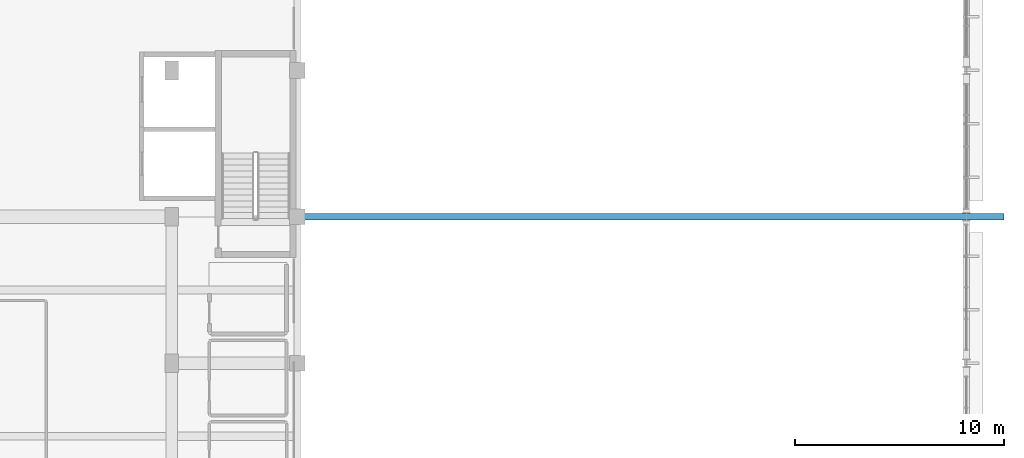
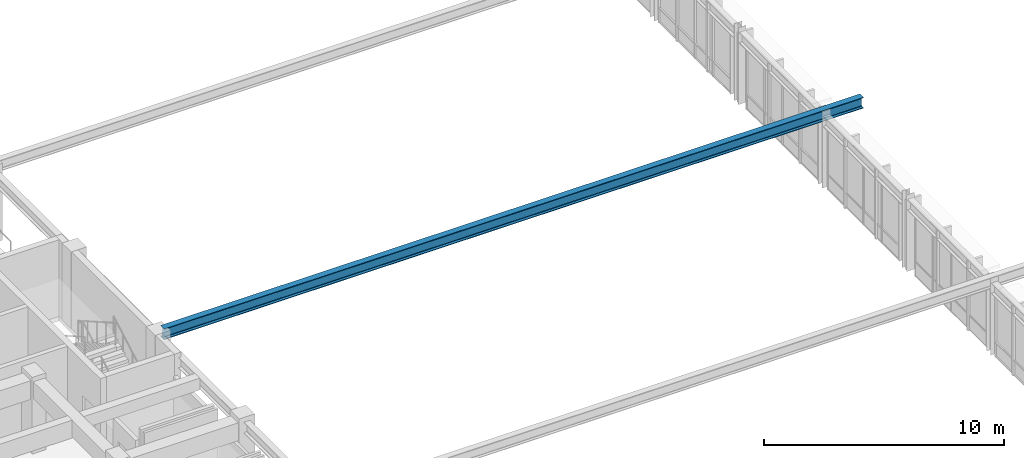
# One storey, part 32 of 98: 1 beam.
"""IFC4 building model written with IfcOpenShell, lengths in metres."""

from ifc_helpers import new_model, si_unit, direction, frame, origin, origin_2d, place, context, subcontext, project, spatial, i_section, extrude, material, material_profile, profile_set, type_object, element, save


model = new_model("IFC4")

# Units and contexts
model_context = context("Model", 3, precision=1e-05, world=origin(), true_north=direction((0.0, 1.0)))
body_context = subcontext(model_context, "Body", "Model", "MODEL_VIEW")
ifc_project = project(units=[si_unit("LENGTHUNIT", "METRE"), si_unit("AREAUNIT", "SQUARE_METRE"), si_unit("VOLUMEUNIT", "CUBIC_METRE"), si_unit("PLANEANGLEUNIT", "RADIAN"), si_unit("MASSUNIT", "GRAM", prefix="KILO")], contexts=[model_context])

# Site, building, storey
site_placement = place(None, origin())
site = spatial("IfcSite", under=ifc_project, at=site_placement, CompositionType="ELEMENT")
building_placement = place(site_placement, origin())
building = spatial("IfcBuilding", under=site, at=building_placement, Name="Larkveld Mobility Hub", CompositionType="ELEMENT")
storey_placement = place(building_placement, frame((0.0, 0.0, 4.5)))
storey = spatial("IfcBuildingStorey", under=building, at=storey_placement, Name="L01", CompositionType="ELEMENT", Elevation=4.5)

# Beam
ifc_material = material(Name="Steel S355JR", Category="steel")
ifc_material_profile = material_profile(ifc_material, i_section(OverallWidth=0.300048828125, OverallDepth=0.550048828125, WebThickness=0.014892578125, FlangeThickness=0.029052734375, FilletRadius=0.027099609375, at=origin_2d()), Name="HEB 550")
ifc_profile_set = profile_set([ifc_material_profile], Name="Steel S355JR")
beam_type = type_object("IfcBeamType", Name="BM-STHEB550", PredefinedType="BEAM", material=ifc_profile_set)
beam_placement = place(storey_placement, frame((152.18994140625, 56.0, 3.625), z_axis=(1.0, 0.0, 0.0), x_axis=(0.0, 1.0, 0.0)))
element("IfcBeam", 1, at=beam_placement, inside=storey, type_object=beam_type, Name="Sawtooth Valley Tie Girder T3 L01-1738", PredefinedType="BEAM", context=body_context, shape_type="SweptSolid", body=[
    extrude(i_section(OverallWidth=0.300048828125, OverallDepth=0.550048828125, WebThickness=0.014892578125, FlangeThickness=0.029052734375, FilletRadius=0.027099609375, at=origin_2d()), origin(), (0.0, 0.0, 1.0), 33.610107421875),
])

save(model, "model.ifc")
